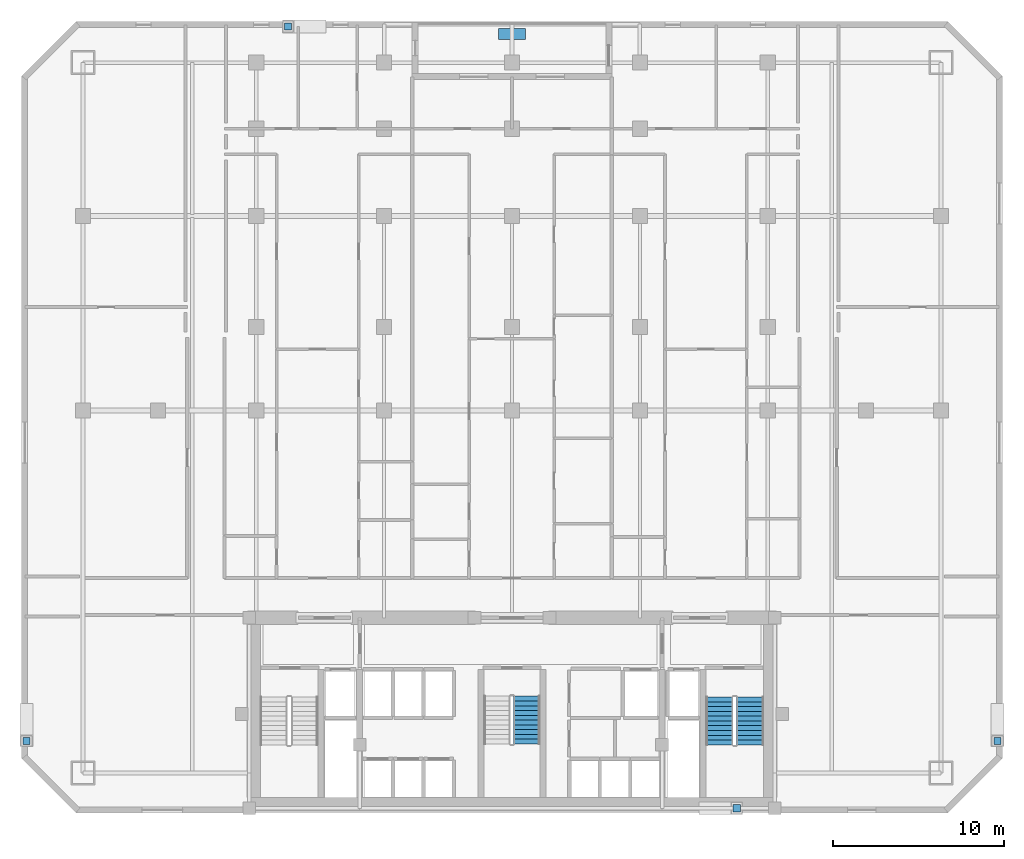
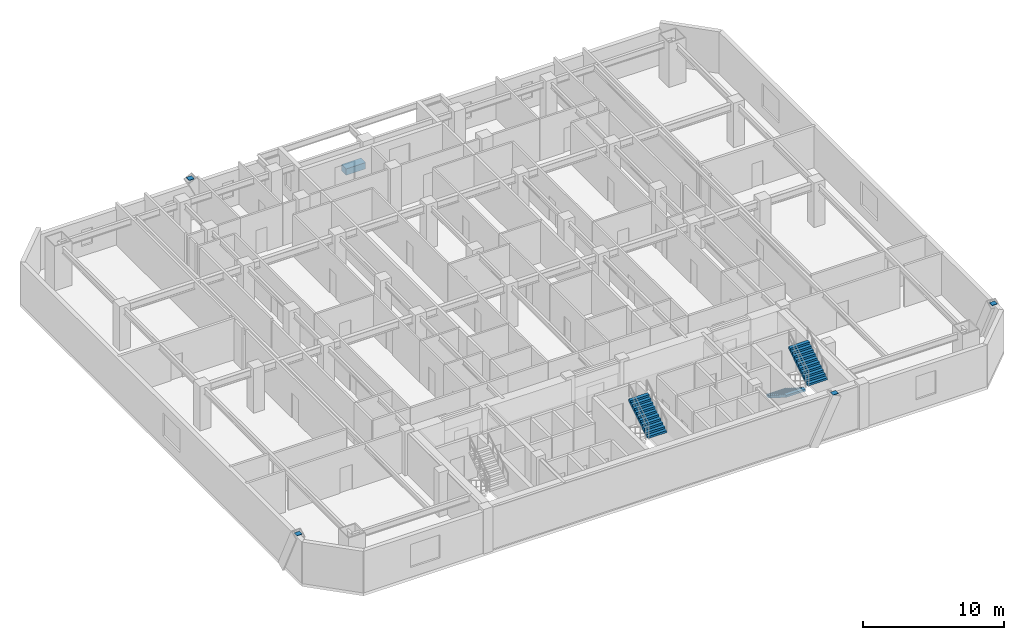
# One storey, part 8 of 9: 5 discrete accessories, 3 stair flights, 2 elements without a shape of their own.
"""IFC4 building model written with IfcOpenShell, lengths in metres."""

from ifc_helpers import new_model, si_unit, direction, frame, origin, origin_2d, place, context, subcontext, project, spatial, polyline, rectangle, outline, extrude, material, type_object, element, aggregate, save


model = new_model("IFC4")

# Units and contexts
model_context = context("Model", 3, precision=1e-05, world=origin(), true_north=direction((0.0, 1.0)))
body_context = subcontext(model_context, "Body", "Model", "MODEL_VIEW")
ifc_project = project(units=[si_unit("LENGTHUNIT", "METRE"), si_unit("AREAUNIT", "SQUARE_METRE"), si_unit("VOLUMEUNIT", "CUBIC_METRE"), si_unit("PLANEANGLEUNIT", "RADIAN"), si_unit("MASSUNIT", "GRAM", prefix="KILO")], contexts=[model_context])

# Site, building, storey
site_placement = place(None, origin())
site = spatial("IfcSite", under=ifc_project, at=site_placement, CompositionType="ELEMENT")
building_placement = place(site_placement, origin())
building = spatial("IfcBuilding", under=site, at=building_placement, Name="Ventersveld Concourse Tower", CompositionType="ELEMENT")
storey_placement = place(building_placement, frame((0.0, 0.0, 52.89990234375)))
storey = spatial("IfcBuildingStorey", under=building, at=storey_placement, Name="L12", CompositionType="ELEMENT", Elevation=52.89990234375)

# Stair, stair flight
ifc_material_1 = material(Name="Concrete C50/60", Category="concrete")
stair_type_1 = type_object("IfcStairType", Name="ST-DOG-155", PredefinedType="HALF_TURN_STAIR", material=ifc_material_1)
stair_1_placement = place(storey_placement, origin())
stair_1 = element("IfcStair", 1, at=stair_1_placement, inside=storey, type_object=stair_type_1, Name="L12 Protected Central Core Escape Stair ST-03", PredefinedType="HALF_TURN_STAIR")
stair_flight_type_1 = type_object("IfcStairFlightType", Name="STF-RC-155", PredefinedType="STRAIGHT", material=ifc_material_1)
stair_flight_1_placement = place(storey_placement, frame((29.625, 4.050048828125, 1.925048828125), z_axis=(0.0, 0.0, 1.0), x_axis=(0.0, 1.0, 0.0)))
stair_flight_1 = element("IfcStairFlight", 2, at=stair_flight_1_placement, type_object=stair_flight_type_1, Name="ST-03 flight 2", NumberOfRisers=11, NumberOfTreads=10, PredefinedType="STRAIGHT", RiserHeight=0.175, TreadLength=0.28, context=body_context, shape_type="SweptSolid", body=[
    extrude(outline(polyline([(0.0, 0.0), (0.0, 0.175048828125), (0.280029296875, 0.175048828125), (0.280029296875, 0.35009765625), (0.56005859375, 0.35009765625), (0.56005859375, 0.52490234375), (0.840087890625, 0.52490234375), (0.840087890625, 0.699951171875), (1.1201171875, 0.699951171875), (1.1201171875, 0.875), (1.39990234375, 0.875), (1.39990234375, 1.050048828125), (1.679931640625, 1.050048828125), (1.679931640625, 1.22509765625), (1.9599609375, 1.22509765625), (1.9599609375, 1.39990234375), (2.239990234375, 1.39990234375), (2.239990234375, 1.574951171875), (2.52001953125, 1.574951171875), (2.52001953125, 1.75), (2.800048828125, 1.75), (2.800048828125, 1.925048828125), (2.800048828125, 1.5732421875), (0.28271484375, 0.0), (0.0, 0.0)])), frame((0.0, 0.77490234375, 0.0), z_axis=(0.0, -1.0, 0.0), x_axis=(1.0, 0.0, 0.0)), (0.0, 0.0, 1.0), 1.550048828125),
])
aggregate(stair_1, [stair_flight_1])

# Stair, stair flights
stair_type_2 = type_object("IfcStairType", Name="ST-DOG-160", PredefinedType="HALF_TURN_STAIR", material=ifc_material_1)
stair_2_placement = place(storey_placement, origin())
stair_2 = element("IfcStair", 3, at=stair_2_placement, inside=storey, type_object=stair_type_2, Name="L12 Protected Tower Escape Stair ST-02", PredefinedType="HALF_TURN_STAIR")
stair_flight_type_2 = type_object("IfcStairFlightType", Name="STF-RC-160", PredefinedType="STRAIGHT", material=ifc_material_1)
stair_flight_2_placement = place(storey_placement, frame((40.919921875, 6.800048828125, 0.0), z_axis=(0.0, 0.0, 1.0), x_axis=(0.0, -1.0, 0.0)))
stair_flight_2 = element("IfcStairFlight", 4, at=stair_flight_2_placement, type_object=stair_flight_type_2, Name="ST-02 flight 1", NumberOfRisers=11, NumberOfTreads=10, PredefinedType="STRAIGHT", RiserHeight=0.175, TreadLength=0.28, context=body_context, shape_type="SweptSolid", body=[
    extrude(outline(polyline([(0.0, 0.0), (0.0, 0.175048828125), (0.280029296875, 0.175048828125), (0.280029296875, 0.35009765625), (0.56005859375, 0.35009765625), (0.56005859375, 0.52490234375), (0.840087890625, 0.52490234375), (0.840087890625, 0.699951171875), (1.1201171875, 0.699951171875), (1.1201171875, 0.875), (1.39990234375, 0.875), (1.39990234375, 1.050048828125), (1.679931640625, 1.050048828125), (1.679931640625, 1.22509765625), (1.9599609375, 1.22509765625), (1.9599609375, 1.39990234375), (2.239990234375, 1.39990234375), (2.239990234375, 1.574951171875), (2.52001953125, 1.574951171875), (2.52001953125, 1.75), (2.800048828125, 1.75), (2.800048828125, 1.925048828125), (2.800048828125, 1.5732421875), (0.28271484375, 0.0), (0.0, 0.0)])), frame((0.0, 0.800048828125, 0.0), z_axis=(0.0, -1.0, 0.0), x_axis=(1.0, 0.0, 0.0)), (0.0, 0.0, 1.0), 1.60009765625),
])
stair_flight_3_placement = place(storey_placement, frame((42.719970703125, 4.0, 1.925048828125), z_axis=(0.0, 0.0, 1.0), x_axis=(0.0, 1.0, 0.0)))
stair_flight_3 = element("IfcStairFlight", 5, at=stair_flight_3_placement, type_object=stair_flight_type_2, Name="ST-02 flight 2", NumberOfRisers=11, NumberOfTreads=10, PredefinedType="STRAIGHT", RiserHeight=0.175, TreadLength=0.28, context=body_context, shape_type="SweptSolid", body=[
    extrude(outline(polyline([(0.0, 0.0), (0.0, 0.175048828125), (0.280029296875, 0.175048828125), (0.280029296875, 0.35009765625), (0.56005859375, 0.35009765625), (0.56005859375, 0.52490234375), (0.840087890625, 0.52490234375), (0.840087890625, 0.699951171875), (1.1201171875, 0.699951171875), (1.1201171875, 0.875), (1.39990234375, 0.875), (1.39990234375, 1.050048828125), (1.679931640625, 1.050048828125), (1.679931640625, 1.22509765625), (1.9599609375, 1.22509765625), (1.9599609375, 1.39990234375), (2.239990234375, 1.39990234375), (2.239990234375, 1.574951171875), (2.52001953125, 1.574951171875), (2.52001953125, 1.75), (2.800048828125, 1.75), (2.800048828125, 1.925048828125), (2.800048828125, 1.5732421875), (0.28271484375, 0.0), (0.0, 0.0)])), frame((0.0, 0.800048828125, 0.0), z_axis=(0.0, -1.0, 0.0), x_axis=(1.0, 0.0, 0.0)), (0.0, 0.0, 1.0), 1.60009765625),
])
aggregate(stair_2, [stair_flight_2, stair_flight_3])

# Discrete accessories
ifc_material_2 = material(Name="Structural steel S355J2", Category="steel")
discrete_accessory_type_1 = type_object("IfcDiscreteAccessoryType", Name="CONN-BRACE-ECP1", PredefinedType="BRACKET", material=ifc_material_2)
for number, where, z_axis, x_axis, name in (
    (6, (15.625, 46.1201171875, 3.580078125), (0.0, 0.0, 1.0), (1.0, 0.0, 0.0), "L12 Steel Brace End Connection Plate ECP1-0219"),
    (7, (41.925048828125, 0.280029296875, 3.580078125), (0.0, 0.0, 1.0), (1.0, 0.0, 0.0), "L12 Steel Brace End Connection Plate ECP1-0223"),
    (8, (0.280029296875, 4.22509765625, 3.580078125), (0.0, 0.0, 1.0), (1.0, 0.0, 0.0), "L12 Steel Brace End Connection Plate ECP1-0227"),
    (9, (57.219970703125, 4.22509765625, 3.580078125), (0.0, 0.0, 1.0), (1.0, 0.0, 0.0), "L12 Steel Brace End Connection Plate ECP1-0231"),
):
    element("IfcDiscreteAccessory", number, at=place(storey_placement, frame(where, z_axis=z_axis, x_axis=x_axis)), inside=storey, type_object=discrete_accessory_type_1, Name=name, PredefinedType="BRACKET", context=body_context, shape_type="SweptSolid", body=[
        extrude(rectangle(XDim=0.419921875, YDim=0.419921875, at=origin_2d()), origin(), (0.0, 0.0, 1.0), 0.0400390625),
    ])
ifc_material_3 = material(Name="Precast concrete C45/55", Category="concrete")
discrete_accessory_type_2 = type_object("IfcDiscreteAccessoryType", Name="PLN-TERR-180", PredefinedType="USERDEFINED", material=ifc_material_3)
discrete_accessory_placement = place(storey_placement, frame((28.75, 45.679931640625, 0.0), z_axis=(0.0, 0.0, 1.0), x_axis=(1.0, 0.0, 0.0)))
element("IfcDiscreteAccessory", 10, at=discrete_accessory_placement, inside=storey, type_object=discrete_accessory_type_2, Name="L12 Planted Precast Terrace Planter Box NOTCH-N", ObjectType="PLANTER", PredefinedType="USERDEFINED", context=body_context, shape_type="SweptSolid", body=[
    extrude(rectangle(XDim=1.60009765625, YDim=0.64990234375, at=origin_2d()), origin(), (0.0, 0.0, 1.0), 0.550048828125),
])

save(model, "model.ifc")
